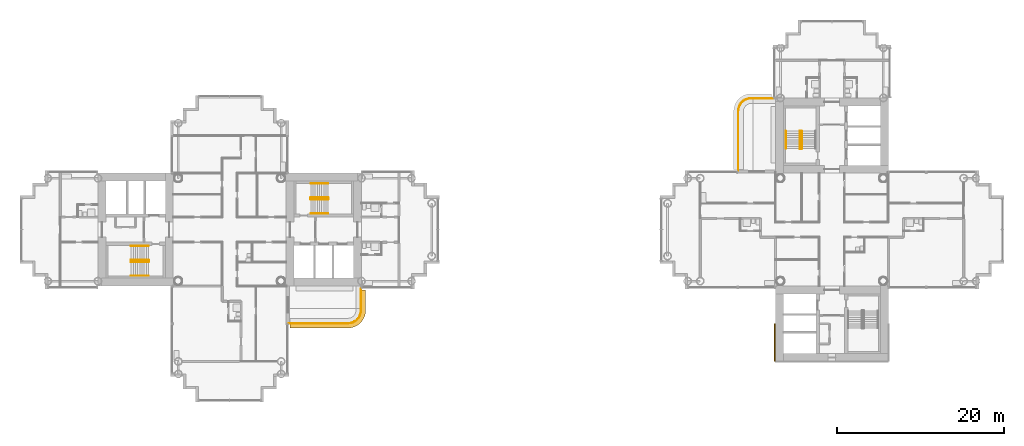
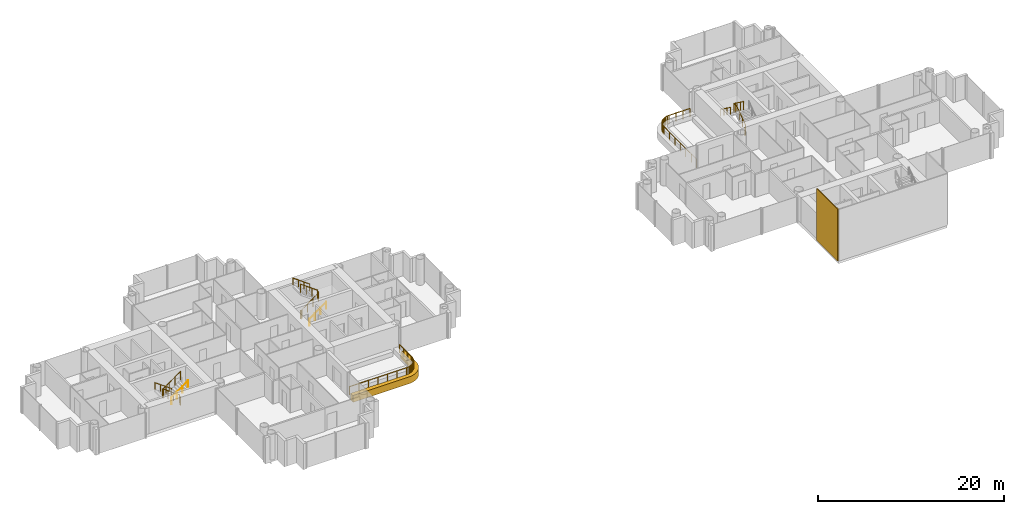
# One storey, part 19 of 21: 10 railings, 2 coverings.
"""IFC4 building model written with IfcOpenShell, lengths in metres."""

from ifc_helpers import new_model, si_unit, direction, frame, origin, origin_2d, place, context, subcontext, project, spatial, polyline, rectangle, circle, outline, extrude, material, layer, layer_set, type_object, element, save


model = new_model("IFC4")

# Units and contexts
model_context = context("Model", 3, precision=1e-05, world=origin(), true_north=direction((0.0, 1.0)))
body_context = subcontext(model_context, "Body", "Model", "MODEL_VIEW")
ifc_project = project(units=[si_unit("LENGTHUNIT", "METRE"), si_unit("AREAUNIT", "SQUARE_METRE"), si_unit("VOLUMEUNIT", "CUBIC_METRE"), si_unit("PLANEANGLEUNIT", "RADIAN"), si_unit("MASSUNIT", "GRAM", prefix="KILO")], contexts=[model_context])

# Site, building, storey
site_placement = place(None, origin())
site = spatial("IfcSite", under=ifc_project, at=site_placement, CompositionType="ELEMENT")
building_placement = place(site_placement, origin())
building = spatial("IfcBuilding", under=site, at=building_placement, Name="Ipe Terrace Towers", CompositionType="ELEMENT")
storey_placement = place(building_placement, frame((0.0, 0.0, 103.800048828125)))
storey = spatial("IfcBuildingStorey", under=building, at=storey_placement, Name="L28", CompositionType="ELEMENT", Elevation=103.800048828125)

# Railings
ifc_material_1 = material(Name="Stainless steel S316", Category="steel")
railing_type_1 = type_object("IfcRailingType", Name="GUARD 1100", PredefinedType="BALUSTRADE", material=ifc_material_1)
railing_1_placement = place(storey_placement, frame((-28.929931640625, -11.199951171875, -0.02001953125)))
element("IfcRailing", 1, at=railing_1_placement, inside=storey, type_object=railing_type_1, Name="guard", PredefinedType="BALUSTRADE", context=body_context, shape_type="SweptSolid", body=[
    extrude(circle(Radius=0.02392578125, at=origin_2d()), frame((0.0, 0.0, 1.076171875), z_axis=(1.0, 0.0, 0.0), x_axis=(0.0, 1.0, 0.0)), (0.0, 0.0, 1.0), 7.077880859375),
    extrude(circle(Radius=0.02392578125, at=origin_2d()), frame((7.077880859375, 0.0, 1.076171875), z_axis=(0.997996439513, 0.063270109204, 0.0), x_axis=(-0.063270109204, 0.997996439513, 0.0)), (0.0, 0.0, 1.0), 0.20458984375),
    extrude(circle(Radius=0.02392578125, at=origin_2d()), frame((7.281982421875, 0.012939453125, 1.076171875), z_axis=(0.980348670139, 0.197272615832, 0.0), x_axis=(-0.197272615832, 0.980348670139, 0.0)), (0.0, 0.0, 1.0), 0.202880859375),
    extrude(circle(Radius=0.02392578125, at=origin_2d()), frame((7.48095703125, 0.052978515625, 1.076171875), z_axis=(0.947227229435, 0.320562904618, 0.0), x_axis=(-0.320562904618, 0.947227229435, 0.0)), (0.0, 0.0, 1.0), 0.20263671875),
    extrude(circle(Radius=0.02392578125, at=origin_2d()), frame((7.6728515625, 0.117919921875, 1.076171875), z_axis=(0.896341374877, 0.443364567466, 0.0), x_axis=(-0.443364567466, 0.896341374877, 0.0)), (0.0, 0.0, 1.0), 0.203125),
    extrude(circle(Radius=0.02392578125, at=origin_2d()), frame((7.85498046875, 0.2080078125, 1.076171875), z_axis=(0.833344910936, 0.552753344103, 0.0), x_axis=(-0.552753344103, 0.833344910936, 0.0)), (0.0, 0.0, 1.0), 0.20263671875),
    extrude(circle(Radius=0.02392578125, at=origin_2d()), frame((8.02392578125, 0.320068359375, 1.076171875), z_axis=(0.750856952854, 0.660464863827, 0.0), x_axis=(-0.660464863827, 0.750856952854, 0.0)), (0.0, 0.0, 1.0), 0.20263671875),
    extrude(circle(Radius=0.02392578125, at=origin_2d()), frame((8.176025390625, 0.453857421875, 1.076171875), z_axis=(0.660464863827, 0.750856952854, 0.0), x_axis=(-0.750856952854, 0.660464863827, 0.0)), (0.0, 0.0, 1.0), 0.20263671875),
    extrude(circle(Radius=0.02392578125, at=origin_2d()), frame((8.309814453125, 0.60595703125, 1.076171875), z_axis=(0.552753344103, 0.833344910936, 0.0), x_axis=(-0.833344910936, 0.552753344103, 0.0)), (0.0, 0.0, 1.0), 0.20263671875),
    extrude(circle(Radius=0.02392578125, at=origin_2d()), frame((8.421875, 0.77490234375, 1.076171875), z_axis=(0.443364567466, 0.896341374877, 0.0), x_axis=(-0.896341374877, 0.443364567466, 0.0)), (0.0, 0.0, 1.0), 0.203125),
    extrude(circle(Radius=0.02392578125, at=origin_2d()), frame((8.511962890625, 0.95703125, 1.076171875), z_axis=(0.320562904618, 0.947227229435, 0.0), x_axis=(-0.947227229435, 0.320562904618, 0.0)), (0.0, 0.0, 1.0), 0.20263671875),
    extrude(circle(Radius=0.02392578125, at=origin_2d()), frame((8.576904296875, 1.14892578125, 1.076171875), z_axis=(0.197272615832, 0.980348670139, 0.0), x_axis=(-0.980348670139, 0.197272615832, 0.0)), (0.0, 0.0, 1.0), 0.202880859375),
    extrude(circle(Radius=0.02392578125, at=origin_2d()), frame((8.616943359375, 1.347900390625, 1.076171875), z_axis=(0.063270109204, 0.997996439513, 0.0), x_axis=(-0.997996439513, 0.063270109204, 0.0)), (0.0, 0.0, 1.0), 0.20458984375),
    extrude(circle(Radius=0.02392578125, at=origin_2d()), frame((8.6298828125, 1.552001953125, 1.076171875), z_axis=(0.0, 1.0, 0.0), x_axis=(-1.0, 0.0, 0.0)), (0.0, 0.0, 1.0), 2.577880859375),
    extrude(circle(Radius=0.02099609375, at=origin_2d()), origin(), (0.0, 0.0, 1.0), 1.052001953125),
    extrude(circle(Radius=0.02099609375, at=origin_2d()), frame((1.1796875, 0.0, 0.0)), (0.0, 0.0, 1.0), 1.052001953125),
    extrude(circle(Radius=0.02099609375, at=origin_2d()), frame((2.359375, 0.0, 0.0)), (0.0, 0.0, 1.0), 1.052001953125),
    extrude(circle(Radius=0.02099609375, at=origin_2d()), frame((3.5390625, 0.0, 0.0)), (0.0, 0.0, 1.0), 1.052001953125),
    extrude(circle(Radius=0.02099609375, at=origin_2d()), frame((4.718505859375, 0.0, 0.0)), (0.0, 0.0, 1.0), 1.052001953125),
    extrude(circle(Radius=0.02099609375, at=origin_2d()), frame((5.898193359375, 0.0, 0.0)), (0.0, 0.0, 1.0), 1.052001953125),
    extrude(circle(Radius=0.02099609375, at=origin_2d()), frame((7.077880859375, 0.0, 0.0)), (0.0, 0.0, 1.0), 1.052001953125),
    extrude(circle(Radius=0.02099609375, at=origin_2d()), frame((7.281982421875, 0.012939453125, 0.0)), (0.0, 0.0, 1.0), 1.052001953125),
    extrude(circle(Radius=0.02099609375, at=origin_2d()), frame((7.48095703125, 0.052978515625, 0.0)), (0.0, 0.0, 1.0), 1.052001953125),
    extrude(circle(Radius=0.02099609375, at=origin_2d()), frame((7.6728515625, 0.117919921875, 0.0)), (0.0, 0.0, 1.0), 1.052001953125),
    extrude(circle(Radius=0.02099609375, at=origin_2d()), frame((7.85498046875, 0.2080078125, 0.0)), (0.0, 0.0, 1.0), 1.052001953125),
    extrude(circle(Radius=0.02099609375, at=origin_2d()), frame((8.02392578125, 0.320068359375, 0.0)), (0.0, 0.0, 1.0), 1.052001953125),
    extrude(circle(Radius=0.02099609375, at=origin_2d()), frame((8.176025390625, 0.453857421875, 0.0)), (0.0, 0.0, 1.0), 1.052001953125),
    extrude(circle(Radius=0.02099609375, at=origin_2d()), frame((8.309814453125, 0.60595703125, 0.0)), (0.0, 0.0, 1.0), 1.052001953125),
    extrude(circle(Radius=0.02099609375, at=origin_2d()), frame((8.421875, 0.77490234375, 0.0)), (0.0, 0.0, 1.0), 1.052001953125),
    extrude(circle(Radius=0.02099609375, at=origin_2d()), frame((8.511962890625, 0.95703125, 0.0)), (0.0, 0.0, 1.0), 1.052001953125),
    extrude(circle(Radius=0.02099609375, at=origin_2d()), frame((8.576904296875, 1.14892578125, 0.0)), (0.0, 0.0, 1.0), 1.052001953125),
    extrude(circle(Radius=0.02099609375, at=origin_2d()), frame((8.616943359375, 1.347900390625, 0.0)), (0.0, 0.0, 1.0), 1.052001953125),
    extrude(circle(Radius=0.02099609375, at=origin_2d()), frame((8.6298828125, 1.552001953125, 0.0)), (0.0, 0.0, 1.0), 1.052001953125),
    extrude(circle(Radius=0.02099609375, at=origin_2d()), frame((8.6298828125, 2.411376953125, 0.0)), (0.0, 0.0, 1.0), 1.052001953125),
    extrude(circle(Radius=0.02099609375, at=origin_2d()), frame((8.6298828125, 3.2705078125, 0.0)), (0.0, 0.0, 1.0), 1.052001953125),
    extrude(circle(Radius=0.02099609375, at=origin_2d()), frame((8.6298828125, 4.1298828125, 0.0)), (0.0, 0.0, 1.0), 1.052001953125),
])
railing_2_placement = place(storey_placement, frame((28.929931640625, 15.699951171875, -0.02001953125)))
element("IfcRailing", 2, at=railing_2_placement, inside=storey, type_object=railing_type_1, Name="guard", PredefinedType="BALUSTRADE", context=body_context, shape_type="SweptSolid", body=[
    extrude(circle(Radius=0.02392578125, at=origin_2d()), frame((0.0, 0.0, 1.076171875), z_axis=(-1.0, 0.0, 0.0), x_axis=(0.0, -1.0, 0.0)), (0.0, 0.0, 1.0), 2.577880859375),
    extrude(circle(Radius=0.02392578125, at=origin_2d()), frame((-2.577880859375, 0.0, 1.076171875), z_axis=(-0.997996439513, -0.063270109204, 0.0), x_axis=(0.063270109204, -0.997996439513, 0.0)), (0.0, 0.0, 1.0), 0.20458984375),
    extrude(circle(Radius=0.02392578125, at=origin_2d()), frame((-2.781982421875, -0.012939453125, 1.076171875), z_axis=(-0.980348670139, -0.197272615832, 0.0), x_axis=(0.197272615832, -0.980348670139, 0.0)), (0.0, 0.0, 1.0), 0.202880859375),
    extrude(circle(Radius=0.02392578125, at=origin_2d()), frame((-2.98095703125, -0.052978515625, 1.076171875), z_axis=(-0.947227229435, -0.320562904618, 0.0), x_axis=(0.320562904618, -0.947227229435, 0.0)), (0.0, 0.0, 1.0), 0.20263671875),
    extrude(circle(Radius=0.02392578125, at=origin_2d()), frame((-3.1728515625, -0.117919921875, 1.076171875), z_axis=(-0.896341374877, -0.443364567466, 0.0), x_axis=(0.443364567466, -0.896341374877, 0.0)), (0.0, 0.0, 1.0), 0.203125),
    extrude(circle(Radius=0.02392578125, at=origin_2d()), frame((-3.35498046875, -0.2080078125, 1.076171875), z_axis=(-0.833344910936, -0.552753344103, 0.0), x_axis=(0.552753344103, -0.833344910936, 0.0)), (0.0, 0.0, 1.0), 0.20263671875),
    extrude(circle(Radius=0.02392578125, at=origin_2d()), frame((-3.52392578125, -0.320068359375, 1.076171875), z_axis=(-0.750856952854, -0.660464863827, 0.0), x_axis=(0.660464863827, -0.750856952854, 0.0)), (0.0, 0.0, 1.0), 0.20263671875),
    extrude(circle(Radius=0.02392578125, at=origin_2d()), frame((-3.676025390625, -0.453857421875, 1.076171875), z_axis=(-0.660464863827, -0.750856952854, 0.0), x_axis=(0.750856952854, -0.660464863827, 0.0)), (0.0, 0.0, 1.0), 0.20263671875),
    extrude(circle(Radius=0.02392578125, at=origin_2d()), frame((-3.809814453125, -0.60595703125, 1.076171875), z_axis=(-0.552753344103, -0.833344910936, 0.0), x_axis=(0.833344910936, -0.552753344103, 0.0)), (0.0, 0.0, 1.0), 0.20263671875),
    extrude(circle(Radius=0.02392578125, at=origin_2d()), frame((-3.921875, -0.77490234375, 1.076171875), z_axis=(-0.443364567466, -0.896341374877, 0.0), x_axis=(0.896341374877, -0.443364567466, 0.0)), (0.0, 0.0, 1.0), 0.203125),
    extrude(circle(Radius=0.02392578125, at=origin_2d()), frame((-4.011962890625, -0.95703125, 1.076171875), z_axis=(-0.320562904618, -0.947227229435, 0.0), x_axis=(0.947227229435, -0.320562904618, 0.0)), (0.0, 0.0, 1.0), 0.20263671875),
    extrude(circle(Radius=0.02392578125, at=origin_2d()), frame((-4.076904296875, -1.14892578125, 1.076171875), z_axis=(-0.197272615832, -0.980348670139, 0.0), x_axis=(0.980348670139, -0.197272615832, 0.0)), (0.0, 0.0, 1.0), 0.202880859375),
    extrude(circle(Radius=0.02392578125, at=origin_2d()), frame((-4.116943359375, -1.347900390625, 1.076171875), z_axis=(-0.063270109204, -0.997996439513, 0.0), x_axis=(0.997996439513, -0.063270109204, 0.0)), (0.0, 0.0, 1.0), 0.20458984375),
    extrude(circle(Radius=0.02392578125, at=origin_2d()), frame((-4.1298828125, -1.552001953125, 1.076171875), z_axis=(0.0, -1.0, 0.0), x_axis=(1.0, 0.0, 0.0)), (0.0, 0.0, 1.0), 7.077880859375),
    extrude(circle(Radius=0.02099609375, at=origin_2d()), origin(), (0.0, 0.0, 1.0), 1.052001953125),
    extrude(circle(Radius=0.02099609375, at=origin_2d()), frame((-0.859375, 0.0, 0.0)), (0.0, 0.0, 1.0), 1.052001953125),
    extrude(circle(Radius=0.02099609375, at=origin_2d()), frame((-1.718505859375, 0.0, 0.0)), (0.0, 0.0, 1.0), 1.052001953125),
    extrude(circle(Radius=0.02099609375, at=origin_2d()), frame((-2.577880859375, 0.0, 0.0)), (0.0, 0.0, 1.0), 1.052001953125),
    extrude(circle(Radius=0.02099609375, at=origin_2d()), frame((-2.781982421875, -0.012939453125, 0.0)), (0.0, 0.0, 1.0), 1.052001953125),
    extrude(circle(Radius=0.02099609375, at=origin_2d()), frame((-2.98095703125, -0.052978515625, 0.0)), (0.0, 0.0, 1.0), 1.052001953125),
    extrude(circle(Radius=0.02099609375, at=origin_2d()), frame((-3.1728515625, -0.117919921875, 0.0)), (0.0, 0.0, 1.0), 1.052001953125),
    extrude(circle(Radius=0.02099609375, at=origin_2d()), frame((-3.35498046875, -0.2080078125, 0.0)), (0.0, 0.0, 1.0), 1.052001953125),
    extrude(circle(Radius=0.02099609375, at=origin_2d()), frame((-3.52392578125, -0.320068359375, 0.0)), (0.0, 0.0, 1.0), 1.052001953125),
    extrude(circle(Radius=0.02099609375, at=origin_2d()), frame((-3.676025390625, -0.453857421875, 0.0)), (0.0, 0.0, 1.0), 1.052001953125),
    extrude(circle(Radius=0.02099609375, at=origin_2d()), frame((-3.809814453125, -0.60595703125, 0.0)), (0.0, 0.0, 1.0), 1.052001953125),
    extrude(circle(Radius=0.02099609375, at=origin_2d()), frame((-3.921875, -0.77490234375, 0.0)), (0.0, 0.0, 1.0), 1.052001953125),
    extrude(circle(Radius=0.02099609375, at=origin_2d()), frame((-4.011962890625, -0.95703125, 0.0)), (0.0, 0.0, 1.0), 1.052001953125),
    extrude(circle(Radius=0.02099609375, at=origin_2d()), frame((-4.076904296875, -1.14892578125, 0.0)), (0.0, 0.0, 1.0), 1.052001953125),
    extrude(circle(Radius=0.02099609375, at=origin_2d()), frame((-4.116943359375, -1.347900390625, 0.0)), (0.0, 0.0, 1.0), 1.052001953125),
    extrude(circle(Radius=0.02099609375, at=origin_2d()), frame((-4.1298828125, -1.552001953125, 0.0)), (0.0, 0.0, 1.0), 1.052001953125),
    extrude(circle(Radius=0.02099609375, at=origin_2d()), frame((-4.1298828125, -2.731689453125, 0.0)), (0.0, 0.0, 1.0), 1.052001953125),
    extrude(circle(Radius=0.02099609375, at=origin_2d()), frame((-4.1298828125, -3.911376953125, 0.0)), (0.0, 0.0, 1.0), 1.052001953125),
    extrude(circle(Radius=0.02099609375, at=origin_2d()), frame((-4.1298828125, -5.0908203125, 0.0)), (0.0, 0.0, 1.0), 1.052001953125),
    extrude(circle(Radius=0.02099609375, at=origin_2d()), frame((-4.1298828125, -6.2705078125, 0.0)), (0.0, 0.0, 1.0), 1.052001953125),
    extrude(circle(Radius=0.02099609375, at=origin_2d()), frame((-4.1298828125, -7.4501953125, 0.0)), (0.0, 0.0, 1.0), 1.052001953125),
    extrude(circle(Radius=0.02099609375, at=origin_2d()), frame((-4.1298828125, -8.6298828125, 0.0)), (0.0, 0.0, 1.0), 1.052001953125),
])

# Coverings
ifc_material_2 = material(Name="Concrete C50/60 precast, buff finish", Category="concrete")
ifc_layer_1 = layer(ifc_material_2, 0.1201171875)
ifc_layer_set_1 = layer_set([ifc_layer_1], Name="STONE CORE CLADDING 120")
covering_type_1 = type_object("IfcCoveringType", Name="STONE CORE CLADDING 120", PredefinedType="CLADDING", material=ifc_layer_set_1)
covering_1_placement = place(storey_placement, frame((29.18994140625, -13.5, 0.0), z_axis=(0.0, 0.0, 1.0), x_axis=(0.0, -1.0, 0.0)))
element("IfcCovering", 3, at=covering_1_placement, inside=storey, type_object=covering_type_1, Name="stone core cladding", PredefinedType="CLADDING", context=body_context, shape_type="SweptSolid", body=[
    extrude(rectangle(XDim=4.5, YDim=0.1201171875, at=origin_2d()), origin(), (0.0, 0.0, 1.0), 6.800048828125),
])
ifc_material_3 = material(Name="Concrete C50/60 precast, buff finish", Category="concrete")
ifc_layer_2 = layer(ifc_material_3, 0.5)
ifc_layer_set_2 = layer_set([ifc_layer_2], Name="STONE EDGE BAND 500 x 900")
covering_type_2 = type_object("IfcCoveringType", Name="STONE EDGE BAND 500 x 900", PredefinedType="CLADDING", material=ifc_layer_set_2)
covering_2_placement = place(storey_placement, frame((0.0, 0.0, -0.719970703125)))
element("IfcCovering", 4, at=covering_2_placement, inside=storey, type_object=covering_type_2, Name="stone edge band", PredefinedType="CLADDING", context=body_context, shape_type="SweptSolid", body=[
    extrude(outline(polyline([(-21.85009765625, -11.75), (-21.81689453125, -11.7490234375), (-21.60791015625, -11.735107421875), (-21.5439453125, -11.72705078125), (-21.337890625, -11.68603515625), (-21.27490234375, -11.6689453125), (-21.076904296875, -11.60205078125), (-21.01708984375, -11.576904296875), (-20.8291015625, -11.48388671875), (-20.77197265625, -11.450927734375), (-20.597900390625, -11.3349609375), (-20.5458984375, -11.294921875), (-20.388916015625, -11.156982421875), (-20.343017578125, -11.111083984375), (-20.205078125, -10.9541015625), (-20.1650390625, -10.902099609375), (-20.049072265625, -10.72802734375), (-20.01611328125, -10.6708984375), (-19.923095703125, -10.48291015625), (-19.89794921875, -10.423095703125), (-19.8310546875, -10.22509765625), (-19.81396484375, -10.162109375), (-19.77294921875, -9.9560546875), (-19.764892578125, -9.89208984375), (-19.7509765625, -9.68310546875), (-19.75, -9.64990234375), (-19.75, -7.199951171875), (-20.25, -7.199951171875), (-20.25, -9.64990234375), (-20.263916015625, -9.85888671875), (-20.304931640625, -10.06396484375), (-20.3720703125, -10.261962890625), (-20.464111328125, -10.449951171875), (-20.5810546875, -10.6240234375), (-20.718994140625, -10.781005859375), (-20.8759765625, -10.9189453125), (-21.050048828125, -11.035888671875), (-21.238037109375, -11.1279296875), (-21.43603515625, -11.195068359375), (-21.64111328125, -11.236083984375), (-21.85009765625, -11.25), (-28.800048828125, -11.25), (-28.800048828125, -11.75), (-21.85009765625, -11.75)])), origin(), (0.0, 0.0, 1.0), 0.89990234375),
])

# Railings
ifc_material_4 = material(Name="Steel S355", Category="steel")
railing_type_2 = type_object("IfcRailingType", Name="Stair guard 1100", PredefinedType="GUARDRAIL", material=ifc_material_4)
railing_3_placement = place(storey_placement, frame((-26.35009765625, 3.800048828125, 0.0)))
element("IfcRailing", 5, at=railing_3_placement, inside=storey, type_object=railing_type_2, Name="L28 T1-ST1 stair guard 1", PredefinedType="GUARDRAIL", context=body_context, shape_type="SweptSolid", body=[
    extrude(circle(Radius=0.02392578125, at=origin_2d()), frame((0.0, 0.0, 1.076171875), z_axis=(0.0, -1.0, 0.0), x_axis=(1.0, 0.0, 0.0)), (0.0, 0.0, 1.0), 0.150146484375),
    extrude(circle(Radius=0.02392578125, at=origin_2d()), frame((0.0, -0.150146484375, 1.076171875), z_axis=(0.248385422981, -0.247173786771, 0.936594790069), x_axis=(0.705375805398, 0.708833529934, 0.0)), (0.0, 0.0, 1.0), 0.201416015625),
    extrude(circle(Radius=0.02392578125, at=origin_2d()), frame((0.050048828125, -0.199951171875, 1.2646484375), z_axis=(0.809023421508, 0.0, 0.587776406001), x_axis=(0.0, 1.0, 0.0)), (0.0, 0.0, 1.0), 2.571044921875),
    extrude(circle(Radius=0.02392578125, at=origin_2d()), frame((2.130126953125, -0.199951171875, 2.77587890625), z_axis=(0.708833529934, 0.705375805398, 0.0), x_axis=(-0.705375805398, 0.708833529934, 0.0)), (0.0, 0.0, 1.0), 0.070556640625),
    extrude(circle(Radius=0.02392578125, at=origin_2d()), frame((2.18017578125, -0.150146484375, 2.77587890625), z_axis=(0.0, 1.0, 0.0), x_axis=(-1.0, 0.0, 0.0)), (0.0, 0.0, 1.0), 0.150146484375),
    extrude(circle(Radius=0.02392578125, at=origin_2d()), frame((2.18017578125, 0.0, 2.77587890625), z_axis=(-0.248029566107, 0.248029566107, 0.936462849596), x_axis=(-0.707106781187, -0.707106781187, 0.0)), (0.0, 0.0, 1.0), 0.201904296875),
    extrude(circle(Radius=0.02392578125, at=origin_2d()), frame((2.130126953125, 0.050048828125, 2.96484375), z_axis=(-0.809068575486, 0.0, 0.587714250432), x_axis=(0.0, -1.0, 0.0)), (0.0, 0.0, 1.0), 2.571044921875),
    extrude(circle(Radius=0.02099609375, at=origin_2d()), origin(), (0.0, 0.0, 1.0), 1.052001953125),
    extrude(circle(Radius=0.02099609375, at=origin_2d()), frame((0.0, -0.150146484375, 0.0)), (0.0, 0.0, 1.0), 1.052001953125),
    extrude(circle(Radius=0.02099609375, at=origin_2d()), frame((0.050048828125, -0.199951171875, 0.188720703125)), (0.0, 0.0, 1.0), 1.052001953125),
    extrude(circle(Radius=0.02099609375, at=origin_2d()), frame((0.743408203125, -0.199951171875, 0.6923828125)), (0.0, 0.0, 1.0), 1.052001953125),
    extrude(circle(Radius=0.02099609375, at=origin_2d()), frame((1.436767578125, -0.199951171875, 1.1962890625)), (0.0, 0.0, 1.0), 1.052001953125),
    extrude(circle(Radius=0.02099609375, at=origin_2d()), frame((2.130126953125, -0.199951171875, 1.699951171875)), (0.0, 0.0, 1.0), 1.052001953125),
    extrude(circle(Radius=0.02099609375, at=origin_2d()), frame((2.18017578125, -0.150146484375, 1.699951171875)), (0.0, 0.0, 1.0), 1.052001953125),
    extrude(circle(Radius=0.02099609375, at=origin_2d()), frame((2.18017578125, 0.0, 1.699951171875)), (0.0, 0.0, 1.0), 1.052001953125),
    extrude(circle(Radius=0.02099609375, at=origin_2d()), frame((2.130126953125, 0.050048828125, 1.888916015625)), (0.0, 0.0, 1.0), 1.052001953125),
    extrude(circle(Radius=0.02099609375, at=origin_2d()), frame((1.436767578125, 0.050048828125, 2.392578125)), (0.0, 0.0, 1.0), 1.052001953125),
    extrude(circle(Radius=0.02099609375, at=origin_2d()), frame((0.743408203125, 0.050048828125, 2.896240234375)), (0.0, 0.0, 1.0), 1.052001953125),
    extrude(circle(Radius=0.02099609375, at=origin_2d()), frame((0.050048828125, 0.050048828125, 3.39990234375)), (0.0, 0.0, 1.0), 1.052001953125),
])
railing_4_placement = place(storey_placement, frame((-45.64990234375, -3.800048828125, 0.0)))
element("IfcRailing", 6, at=railing_4_placement, inside=storey, type_object=railing_type_2, Name="L28 T1-ST2 stair guard 1", PredefinedType="GUARDRAIL", context=body_context, shape_type="SweptSolid", body=[
    extrude(circle(Radius=0.02392578125, at=origin_2d()), frame((0.0, 0.0, 1.076171875), z_axis=(0.0, 1.0, 0.0), x_axis=(-1.0, 0.0, 0.0)), (0.0, 0.0, 1.0), 0.150146484375),
    extrude(circle(Radius=0.02392578125, at=origin_2d()), frame((0.0, 0.150146484375, 1.076171875), z_axis=(-0.248385422981, 0.247173786771, 0.936594790069), x_axis=(-0.705375805398, -0.708833529934, 0.0)), (0.0, 0.0, 1.0), 0.201416015625),
    extrude(circle(Radius=0.02392578125, at=origin_2d()), frame((-0.050048828125, 0.199951171875, 1.2646484375), z_axis=(-0.809023421508, 0.0, 0.587776406001), x_axis=(0.0, -1.0, 0.0)), (0.0, 0.0, 1.0), 2.571044921875),
    extrude(circle(Radius=0.02392578125, at=origin_2d()), frame((-2.130126953125, 0.199951171875, 2.77587890625), z_axis=(-0.708833529934, -0.705375805398, 0.0), x_axis=(0.705375805398, -0.708833529934, 0.0)), (0.0, 0.0, 1.0), 0.070556640625),
    extrude(circle(Radius=0.02392578125, at=origin_2d()), frame((-2.18017578125, 0.150146484375, 2.77587890625), z_axis=(0.0, -1.0, 0.0), x_axis=(1.0, 0.0, 0.0)), (0.0, 0.0, 1.0), 0.150146484375),
    extrude(circle(Radius=0.02392578125, at=origin_2d()), frame((-2.18017578125, 0.0, 2.77587890625), z_axis=(0.248029566107, -0.248029566107, 0.936462849596), x_axis=(0.707106781187, 0.707106781187, 0.0)), (0.0, 0.0, 1.0), 0.201904296875),
    extrude(circle(Radius=0.02392578125, at=origin_2d()), frame((-2.130126953125, -0.050048828125, 2.96484375), z_axis=(0.809068575486, 0.0, 0.587714250432), x_axis=(0.0, 1.0, 0.0)), (0.0, 0.0, 1.0), 2.571044921875),
    extrude(circle(Radius=0.02099609375, at=origin_2d()), origin(), (0.0, 0.0, 1.0), 1.052001953125),
    extrude(circle(Radius=0.02099609375, at=origin_2d()), frame((0.0, 0.150146484375, 0.0)), (0.0, 0.0, 1.0), 1.052001953125),
    extrude(circle(Radius=0.02099609375, at=origin_2d()), frame((-0.050048828125, 0.199951171875, 0.188720703125)), (0.0, 0.0, 1.0), 1.052001953125),
    extrude(circle(Radius=0.02099609375, at=origin_2d()), frame((-0.743408203125, 0.199951171875, 0.6923828125)), (0.0, 0.0, 1.0), 1.052001953125),
    extrude(circle(Radius=0.02099609375, at=origin_2d()), frame((-1.436767578125, 0.199951171875, 1.1962890625)), (0.0, 0.0, 1.0), 1.052001953125),
    extrude(circle(Radius=0.02099609375, at=origin_2d()), frame((-2.130126953125, 0.199951171875, 1.699951171875)), (0.0, 0.0, 1.0), 1.052001953125),
    extrude(circle(Radius=0.02099609375, at=origin_2d()), frame((-2.18017578125, 0.150146484375, 1.699951171875)), (0.0, 0.0, 1.0), 1.052001953125),
    extrude(circle(Radius=0.02099609375, at=origin_2d()), frame((-2.18017578125, 0.0, 1.699951171875)), (0.0, 0.0, 1.0), 1.052001953125),
    extrude(circle(Radius=0.02099609375, at=origin_2d()), frame((-2.130126953125, -0.050048828125, 1.888916015625)), (0.0, 0.0, 1.0), 1.052001953125),
    extrude(circle(Radius=0.02099609375, at=origin_2d()), frame((-1.436767578125, -0.050048828125, 2.392578125)), (0.0, 0.0, 1.0), 1.052001953125),
    extrude(circle(Radius=0.02099609375, at=origin_2d()), frame((-0.743408203125, -0.050048828125, 2.896240234375)), (0.0, 0.0, 1.0), 1.052001953125),
    extrude(circle(Radius=0.02099609375, at=origin_2d()), frame((-0.050048828125, -0.050048828125, 3.39990234375)), (0.0, 0.0, 1.0), 1.052001953125),
])
railing_5_placement = place(storey_placement, frame((32.199951171875, 9.64990234375, 0.0)))
element("IfcRailing", 7, at=railing_5_placement, inside=storey, type_object=railing_type_2, Name="L28 T2-ST1 stair guard 1", PredefinedType="GUARDRAIL", context=body_context, shape_type="SweptSolid", body=[
    extrude(circle(Radius=0.02392578125, at=origin_2d()), frame((0.0, 0.0, 1.076171875), z_axis=(1.0, 0.0, 0.0), x_axis=(0.0, 1.0, 0.0)), (0.0, 0.0, 1.0), 0.150146484375),
    extrude(circle(Radius=0.02392578125, at=origin_2d()), frame((0.150146484375, 0.0, 1.076171875), z_axis=(0.247173786771, 0.248385422981, 0.936594790069), x_axis=(-0.708833529934, 0.705375805398, 0.0)), (0.0, 0.0, 1.0), 0.201416015625),
    extrude(circle(Radius=0.02392578125, at=origin_2d()), frame((0.199951171875, 0.050048828125, 1.2646484375), z_axis=(0.0, 0.809023421508, 0.587776406001), x_axis=(-1.0, 0.0, 0.0)), (0.0, 0.0, 1.0), 2.571044921875),
    extrude(circle(Radius=0.02392578125, at=origin_2d()), frame((0.199951171875, 2.130126953125, 2.77587890625), z_axis=(-0.705375805398, 0.708833529934, 0.0), x_axis=(-0.708833529934, -0.705375805398, 0.0)), (0.0, 0.0, 1.0), 0.070556640625),
    extrude(circle(Radius=0.02392578125, at=origin_2d()), frame((0.150146484375, 2.18017578125, 2.77587890625), z_axis=(-1.0, 0.0, 0.0), x_axis=(0.0, -1.0, 0.0)), (0.0, 0.0, 1.0), 0.150146484375),
    extrude(circle(Radius=0.02392578125, at=origin_2d()), frame((0.0, 2.18017578125, 2.77587890625), z_axis=(-0.248029566107, -0.248029566107, 0.936462849596), x_axis=(0.707106781187, -0.707106781187, 0.0)), (0.0, 0.0, 1.0), 0.201904296875),
    extrude(circle(Radius=0.02392578125, at=origin_2d()), frame((-0.050048828125, 2.130126953125, 2.96484375), z_axis=(0.0, -0.809068575486, 0.587714250432), x_axis=(1.0, 0.0, 0.0)), (0.0, 0.0, 1.0), 2.571044921875),
    extrude(circle(Radius=0.02099609375, at=origin_2d()), origin(), (0.0, 0.0, 1.0), 1.052001953125),
    extrude(circle(Radius=0.02099609375, at=origin_2d()), frame((0.150146484375, 0.0, 0.0)), (0.0, 0.0, 1.0), 1.052001953125),
    extrude(circle(Radius=0.02099609375, at=origin_2d()), frame((0.199951171875, 0.050048828125, 0.188720703125)), (0.0, 0.0, 1.0), 1.052001953125),
    extrude(circle(Radius=0.02099609375, at=origin_2d()), frame((0.199951171875, 0.743408203125, 0.6923828125)), (0.0, 0.0, 1.0), 1.052001953125),
    extrude(circle(Radius=0.02099609375, at=origin_2d()), frame((0.199951171875, 1.436767578125, 1.1962890625)), (0.0, 0.0, 1.0), 1.052001953125),
    extrude(circle(Radius=0.02099609375, at=origin_2d()), frame((0.199951171875, 2.130126953125, 1.699951171875)), (0.0, 0.0, 1.0), 1.052001953125),
    extrude(circle(Radius=0.02099609375, at=origin_2d()), frame((0.150146484375, 2.18017578125, 1.699951171875)), (0.0, 0.0, 1.0), 1.052001953125),
    extrude(circle(Radius=0.02099609375, at=origin_2d()), frame((0.0, 2.18017578125, 1.699951171875)), (0.0, 0.0, 1.0), 1.052001953125),
    extrude(circle(Radius=0.02099609375, at=origin_2d()), frame((-0.050048828125, 2.130126953125, 1.888916015625)), (0.0, 0.0, 1.0), 1.052001953125),
    extrude(circle(Radius=0.02099609375, at=origin_2d()), frame((-0.050048828125, 1.436767578125, 2.392578125)), (0.0, 0.0, 1.0), 1.052001953125),
    extrude(circle(Radius=0.02099609375, at=origin_2d()), frame((-0.050048828125, 0.743408203125, 2.896240234375)), (0.0, 0.0, 1.0), 1.052001953125),
    extrude(circle(Radius=0.02099609375, at=origin_2d()), frame((-0.050048828125, 0.050048828125, 3.39990234375)), (0.0, 0.0, 1.0), 1.052001953125),
])
ifc_material_5 = material(Name="Stainless steel grade 304", Category="steel")
railing_type_3 = type_object("IfcRailingType", Name="Stair handrail 900", PredefinedType="HANDRAIL", material=ifc_material_5)
railing_6_placement = place(storey_placement, frame((-26.300048828125, 1.949951171875, 0.188720703125)))
element("IfcRailing", 8, at=railing_6_placement, inside=storey, type_object=railing_type_3, Name="L28 T1-ST1 stair handrail 1", PredefinedType="HANDRAIL", context=body_context, shape_type="SweptSolid", body=[
    extrude(circle(Radius=0.02392578125, at=origin_2d()), frame((0.0, 0.0, 0.8759765625), z_axis=(0.809023421508, 0.0, 0.587776406001), x_axis=(0.0, 1.0, 0.0)), (0.0, 0.0, 1.0), 2.571044921875),
    extrude(circle(Radius=0.02099609375, at=origin_2d()), origin(), (0.0, 0.0, 1.0), 0.851806640625),
    extrude(circle(Radius=0.02099609375, at=origin_2d()), frame((0.693359375, 0.0, 0.503662109375)), (0.0, 0.0, 1.0), 0.851806640625),
    extrude(circle(Radius=0.02099609375, at=origin_2d()), frame((1.38671875, 0.0, 1.007568359375)), (0.0, 0.0, 1.0), 0.851806640625),
    extrude(circle(Radius=0.02099609375, at=origin_2d()), frame((2.080078125, 0.0, 1.51123046875)), (0.0, 0.0, 1.0), 0.851806640625),
])
railing_7_placement = place(storey_placement, frame((-24.219970703125, 5.5, 1.888916015625)))
element("IfcRailing", 9, at=railing_7_placement, inside=storey, type_object=railing_type_3, Name="L28 T1-ST1 stair handrail 2", PredefinedType="HANDRAIL", context=body_context, shape_type="SweptSolid", body=[
    extrude(circle(Radius=0.02392578125, at=origin_2d()), frame((0.0, 0.0, 0.8759765625), z_axis=(-0.809068575486, 0.0, 0.587714250432), x_axis=(0.0, -1.0, 0.0)), (0.0, 0.0, 1.0), 2.571044921875),
    extrude(circle(Radius=0.02099609375, at=origin_2d()), origin(), (0.0, 0.0, 1.0), 0.851806640625),
    extrude(circle(Radius=0.02099609375, at=origin_2d()), frame((-0.693359375, 0.0, 0.503662109375)), (0.0, 0.0, 1.0), 0.851806640625),
    extrude(circle(Radius=0.02099609375, at=origin_2d()), frame((-1.38671875, 0.0, 1.00732421875)), (0.0, 0.0, 1.0), 0.851806640625),
    extrude(circle(Radius=0.02099609375, at=origin_2d()), frame((-2.080078125, 0.0, 1.510986328125)), (0.0, 0.0, 1.0), 0.851806640625),
])
railing_8_placement = place(storey_placement, frame((-45.699951171875, -1.949951171875, 0.188720703125)))
element("IfcRailing", 10, at=railing_8_placement, inside=storey, type_object=railing_type_3, Name="L28 T1-ST2 stair handrail 1", PredefinedType="HANDRAIL", context=body_context, shape_type="SweptSolid", body=[
    extrude(circle(Radius=0.02392578125, at=origin_2d()), frame((0.0, 0.0, 0.8759765625), z_axis=(-0.809023421508, 0.0, 0.587776406001), x_axis=(0.0, -1.0, 0.0)), (0.0, 0.0, 1.0), 2.571044921875),
    extrude(circle(Radius=0.02099609375, at=origin_2d()), origin(), (0.0, 0.0, 1.0), 0.851806640625),
    extrude(circle(Radius=0.02099609375, at=origin_2d()), frame((-0.693359375, 0.0, 0.503662109375)), (0.0, 0.0, 1.0), 0.851806640625),
    extrude(circle(Radius=0.02099609375, at=origin_2d()), frame((-1.38671875, 0.0, 1.007568359375)), (0.0, 0.0, 1.0), 0.851806640625),
    extrude(circle(Radius=0.02099609375, at=origin_2d()), frame((-2.080078125, 0.0, 1.51123046875)), (0.0, 0.0, 1.0), 0.851806640625),
])
railing_9_placement = place(storey_placement, frame((-47.780029296875, -5.5, 1.888916015625)))
element("IfcRailing", 11, at=railing_9_placement, inside=storey, type_object=railing_type_3, Name="L28 T1-ST2 stair handrail 2", PredefinedType="HANDRAIL", context=body_context, shape_type="SweptSolid", body=[
    extrude(circle(Radius=0.02392578125, at=origin_2d()), frame((0.0, 0.0, 0.8759765625), z_axis=(0.809068575486, 0.0, 0.587714250432), x_axis=(0.0, 1.0, 0.0)), (0.0, 0.0, 1.0), 2.571044921875),
    extrude(circle(Radius=0.02099609375, at=origin_2d()), origin(), (0.0, 0.0, 1.0), 0.851806640625),
    extrude(circle(Radius=0.02099609375, at=origin_2d()), frame((0.693359375, 0.0, 0.503662109375)), (0.0, 0.0, 1.0), 0.851806640625),
    extrude(circle(Radius=0.02099609375, at=origin_2d()), frame((1.38671875, 0.0, 1.00732421875)), (0.0, 0.0, 1.0), 0.851806640625),
    extrude(circle(Radius=0.02099609375, at=origin_2d()), frame((2.080078125, 0.0, 1.510986328125)), (0.0, 0.0, 1.0), 0.851806640625),
])
railing_10_placement = place(storey_placement, frame((30.5, 11.780029296875, 1.888916015625)))
element("IfcRailing", 12, at=railing_10_placement, inside=storey, type_object=railing_type_3, Name="L28 T2-ST1 stair handrail 2", PredefinedType="HANDRAIL", context=body_context, shape_type="SweptSolid", body=[
    extrude(circle(Radius=0.02392578125, at=origin_2d()), frame((0.0, 0.0, 0.8759765625), z_axis=(0.0, -0.809068575486, 0.587714250432), x_axis=(1.0, 0.0, 0.0)), (0.0, 0.0, 1.0), 2.571044921875),
    extrude(circle(Radius=0.02099609375, at=origin_2d()), origin(), (0.0, 0.0, 1.0), 0.851806640625),
    extrude(circle(Radius=0.02099609375, at=origin_2d()), frame((0.0, -0.693359375, 0.503662109375)), (0.0, 0.0, 1.0), 0.851806640625),
    extrude(circle(Radius=0.02099609375, at=origin_2d()), frame((0.0, -1.38671875, 1.00732421875)), (0.0, 0.0, 1.0), 0.851806640625),
    extrude(circle(Radius=0.02099609375, at=origin_2d()), frame((0.0, -2.080078125, 1.510986328125)), (0.0, 0.0, 1.0), 0.851806640625),
])

save(model, "model.ifc")
